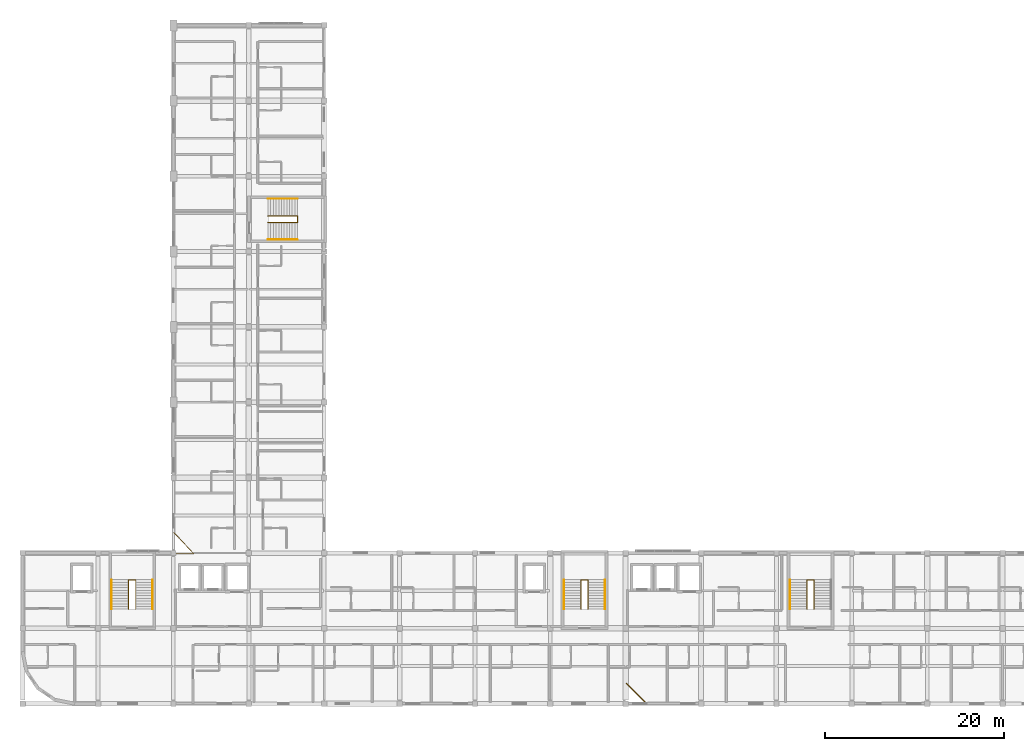
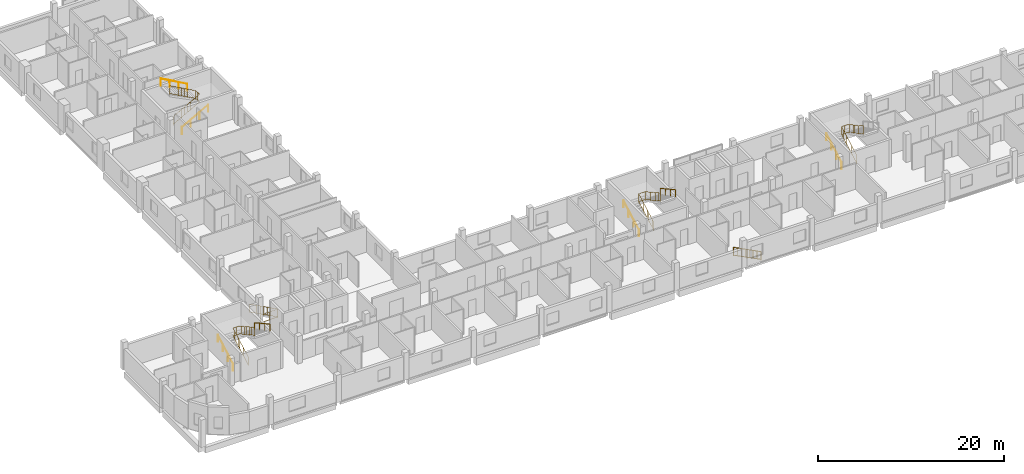
# One storey, part 24 of 25: 13 railings.
"""IFC4 building model written with IfcOpenShell, lengths in metres."""

from ifc_helpers import new_model, si_unit, derived_unit, direction, frame, origin, origin_2d, place, context, subcontext, project, spatial, circle, extrude, material, layer, layer_set, type_object, element, save


model = new_model("IFC4")

# Units and contexts
model_context = context("Model", 3, precision=1e-05, world=origin(), true_north=direction((0.0, 1.0)))
body_context = subcontext(model_context, "Body", "Model", "MODEL_VIEW")
ifc_project = project(units=[si_unit("LENGTHUNIT", "METRE"), si_unit("AREAUNIT", "SQUARE_METRE"), si_unit("VOLUMEUNIT", "CUBIC_METRE"), si_unit("PLANEANGLEUNIT", "RADIAN"), si_unit("MASSUNIT", "GRAM", prefix="KILO"), derived_unit("THERMALTRANSMITTANCEUNIT", [(si_unit("POWERUNIT", "WATT"), 1), (si_unit("LENGTHUNIT", "METRE"), -2), (si_unit("THERMODYNAMICTEMPERATUREUNIT", "KELVIN"), -1)])], contexts=[model_context])

# Site, building, storey
site_placement = place(None, origin())
site = spatial("IfcSite", under=ifc_project, at=site_placement, CompositionType="ELEMENT")
building_placement = place(site_placement, origin())
building = spatial("IfcBuilding", under=site, at=building_placement, Name="Barrovel Congress Hotel", CompositionType="ELEMENT")
storey_placement = place(building_placement, frame((0.0, 0.0, 25.5)))
storey = spatial("IfcBuildingStorey", under=building, at=storey_placement, Name="L06", CompositionType="ELEMENT", Elevation=25.5)

# Railings
ifc_material_1 = material(Name="Painted Architectural Steel", Category="steel")
ifc_layer_1 = layer(ifc_material_1, 0.070068359375)
ifc_layer_set_1 = layer_set([ifc_layer_1], Name="Painted Architectural Steel")
railing_type_1 = type_object("IfcRailingType", Name="RAIL-GUARD-INT", PredefinedType="BALUSTRADE", material=ifc_layer_set_1)
railing_1_placement = place(storey_placement, frame((28.60009765625, 14.739990234375, 0.0)))
element("IfcRailing", 1, at=railing_1_placement, inside=storey, type_object=railing_type_1, Name="STAIR:XS-01:L06:GR-W", PredefinedType="BALUSTRADE", context=body_context, shape_type="SweptSolid", body=[
    extrude(circle(Radius=0.02392578125, at=origin_2d()), frame((0.0, 0.0, 1.11572265625), z_axis=(0.0, 0.876041855244, 0.482235075311), x_axis=(-1.0, 0.0, 0.0)), (0.0, 0.0, 1.0), 3.732666015625),
    extrude(circle(Radius=0.02392578125, at=origin_2d()), frame((0.0, 0.0, 0.10009765625), z_axis=(0.0, 0.876041855244, 0.482235075311), x_axis=(-1.0, 0.0, 0.0)), (0.0, 0.0, 1.0), 3.732666015625),
    extrude(circle(Radius=0.010009765625, at=origin_2d()), frame((0.0, 0.36328125, 0.300048828125)), (0.0, 0.0, 1.0), 0.99169921875),
    extrude(circle(Radius=0.010009765625, at=origin_2d()), frame((0.0, 0.7265625, 0.5)), (0.0, 0.0, 1.0), 0.99169921875),
    extrude(circle(Radius=0.010009765625, at=origin_2d()), frame((0.0, 1.090087890625, 0.699951171875)), (0.0, 0.0, 1.0), 0.99169921875),
    extrude(circle(Radius=0.010009765625, at=origin_2d()), frame((0.0, 1.453369140625, 0.89990234375)), (0.0, 0.0, 1.0), 0.99169921875),
    extrude(circle(Radius=0.010009765625, at=origin_2d()), frame((0.0, 1.816650390625, 1.10009765625)), (0.0, 0.0, 1.0), 0.99169921875),
    extrude(circle(Radius=0.010009765625, at=origin_2d()), frame((0.0, 2.179931640625, 1.300048828125)), (0.0, 0.0, 1.0), 0.99169921875),
    extrude(circle(Radius=0.010009765625, at=origin_2d()), frame((0.0, 2.54345703125, 1.5)), (0.0, 0.0, 1.0), 0.99169921875),
    extrude(circle(Radius=0.010009765625, at=origin_2d()), frame((0.0, 2.90673828125, 1.699951171875)), (0.0, 0.0, 1.0), 0.99169921875),
    extrude(circle(Radius=0.02392578125, at=origin_2d()), frame((0.0, 3.27001953125, 2.916015625), z_axis=(1.0, 0.0, 0.0), x_axis=(0.0, 1.0, 0.0)), (0.0, 0.0, 1.0), 0.7998046875),
    extrude(circle(Radius=0.02392578125, at=origin_2d()), frame((0.0, 3.27001953125, 1.900146484375), z_axis=(1.0, 0.0, 0.0), x_axis=(0.0, 1.0, 0.0)), (0.0, 0.0, 1.0), 0.7998046875),
    extrude(circle(Radius=0.010009765625, at=origin_2d()), frame((0.39990234375, 3.27001953125, 1.900146484375)), (0.0, 0.0, 1.0), 0.99169921875),
    extrude(circle(Radius=0.02392578125, at=origin_2d()), frame((0.7998046875, 3.27001953125, 2.916015625), z_axis=(0.0, -0.876041855244, 0.482235075311), x_axis=(1.0, 0.0, 0.0)), (0.0, 0.0, 1.0), 3.732666015625),
    extrude(circle(Radius=0.02392578125, at=origin_2d()), frame((0.7998046875, 3.27001953125, 1.900146484375), z_axis=(0.0, -0.876041855244, 0.482235075311), x_axis=(1.0, 0.0, 0.0)), (0.0, 0.0, 1.0), 3.732666015625),
    extrude(circle(Radius=0.010009765625, at=origin_2d()), frame((0.7998046875, 2.90673828125, 2.10009765625)), (0.0, 0.0, 1.0), 0.99169921875),
    extrude(circle(Radius=0.010009765625, at=origin_2d()), frame((0.7998046875, 2.54345703125, 2.300048828125)), (0.0, 0.0, 1.0), 0.99169921875),
    extrude(circle(Radius=0.010009765625, at=origin_2d()), frame((0.7998046875, 2.179931640625, 2.5)), (0.0, 0.0, 1.0), 0.99169921875),
    extrude(circle(Radius=0.010009765625, at=origin_2d()), frame((0.7998046875, 1.816650390625, 2.699951171875)), (0.0, 0.0, 1.0), 0.99169921875),
    extrude(circle(Radius=0.010009765625, at=origin_2d()), frame((0.7998046875, 1.453369140625, 2.900146484375)), (0.0, 0.0, 1.0), 0.99169921875),
    extrude(circle(Radius=0.010009765625, at=origin_2d()), frame((0.7998046875, 1.090087890625, 3.10009765625)), (0.0, 0.0, 1.0), 0.99169921875),
    extrude(circle(Radius=0.010009765625, at=origin_2d()), frame((0.7998046875, 0.7265625, 3.300048828125)), (0.0, 0.0, 1.0), 0.99169921875),
    extrude(circle(Radius=0.010009765625, at=origin_2d()), frame((0.7998046875, 0.36328125, 3.5)), (0.0, 0.0, 1.0), 0.99169921875),
    extrude(circle(Radius=0.02099609375, at=origin_2d()), origin(), (0.0, 0.0, 1.0), 1.091796875),
    extrude(circle(Radius=0.02099609375, at=origin_2d()), frame((0.0, 1.090087890625, 0.60009765625)), (0.0, 0.0, 1.0), 1.091796875),
    extrude(circle(Radius=0.02099609375, at=origin_2d()), frame((0.0, 2.179931640625, 1.199951171875)), (0.0, 0.0, 1.0), 1.091796875),
    extrude(circle(Radius=0.02099609375, at=origin_2d()), frame((0.0, 3.27001953125, 1.800048828125)), (0.0, 0.0, 1.0), 1.091796875),
    extrude(circle(Radius=0.02099609375, at=origin_2d()), frame((0.7998046875, 3.27001953125, 1.800048828125)), (0.0, 0.0, 1.0), 1.091796875),
    extrude(circle(Radius=0.02099609375, at=origin_2d()), frame((0.7998046875, 2.179931640625, 2.400146484375)), (0.0, 0.0, 1.0), 1.091796875),
    extrude(circle(Radius=0.02099609375, at=origin_2d()), frame((0.7998046875, 1.090087890625, 3.0)), (0.0, 0.0, 1.0), 1.091796875),
    extrude(circle(Radius=0.02099609375, at=origin_2d()), frame((0.7998046875, 0.0, 3.60009765625)), (0.0, 0.0, 1.0), 1.091796875),
])
railing_2_placement = place(storey_placement, frame((79.0, 14.739990234375, 0.0)))
element("IfcRailing", 2, at=railing_2_placement, inside=storey, type_object=railing_type_1, Name="STAIR:XS-02:L06:GR-W", PredefinedType="BALUSTRADE", context=body_context, shape_type="SweptSolid", body=[
    extrude(circle(Radius=0.02392578125, at=origin_2d()), frame((0.0, 0.0, 1.11572265625), z_axis=(0.0, 0.876041855244, 0.482235075311), x_axis=(-1.0, 0.0, 0.0)), (0.0, 0.0, 1.0), 3.732666015625),
    extrude(circle(Radius=0.02392578125, at=origin_2d()), frame((0.0, 0.0, 0.10009765625), z_axis=(0.0, 0.876041855244, 0.482235075311), x_axis=(-1.0, 0.0, 0.0)), (0.0, 0.0, 1.0), 3.732666015625),
    extrude(circle(Radius=0.010009765625, at=origin_2d()), frame((0.0, 0.36328125, 0.300048828125)), (0.0, 0.0, 1.0), 0.99169921875),
    extrude(circle(Radius=0.010009765625, at=origin_2d()), frame((0.0, 0.7265625, 0.5)), (0.0, 0.0, 1.0), 0.99169921875),
    extrude(circle(Radius=0.010009765625, at=origin_2d()), frame((0.0, 1.090087890625, 0.699951171875)), (0.0, 0.0, 1.0), 0.99169921875),
    extrude(circle(Radius=0.010009765625, at=origin_2d()), frame((0.0, 1.453369140625, 0.89990234375)), (0.0, 0.0, 1.0), 0.99169921875),
    extrude(circle(Radius=0.010009765625, at=origin_2d()), frame((0.0, 1.816650390625, 1.10009765625)), (0.0, 0.0, 1.0), 0.99169921875),
    extrude(circle(Radius=0.010009765625, at=origin_2d()), frame((0.0, 2.179931640625, 1.300048828125)), (0.0, 0.0, 1.0), 0.99169921875),
    extrude(circle(Radius=0.010009765625, at=origin_2d()), frame((0.0, 2.54345703125, 1.5)), (0.0, 0.0, 1.0), 0.99169921875),
    extrude(circle(Radius=0.010009765625, at=origin_2d()), frame((0.0, 2.90673828125, 1.699951171875)), (0.0, 0.0, 1.0), 0.99169921875),
    extrude(circle(Radius=0.02392578125, at=origin_2d()), frame((0.0, 3.27001953125, 2.916015625), z_axis=(1.0, 0.0, 0.0), x_axis=(0.0, 1.0, 0.0)), (0.0, 0.0, 1.0), 0.800048828125),
    extrude(circle(Radius=0.02392578125, at=origin_2d()), frame((0.0, 3.27001953125, 1.900146484375), z_axis=(1.0, 0.0, 0.0), x_axis=(0.0, 1.0, 0.0)), (0.0, 0.0, 1.0), 0.800048828125),
    extrude(circle(Radius=0.010009765625, at=origin_2d()), frame((0.39990234375, 3.27001953125, 1.900146484375)), (0.0, 0.0, 1.0), 0.99169921875),
    extrude(circle(Radius=0.02392578125, at=origin_2d()), frame((0.800048828125, 3.27001953125, 2.916015625), z_axis=(0.0, -0.876041855244, 0.482235075311), x_axis=(1.0, 0.0, 0.0)), (0.0, 0.0, 1.0), 3.732666015625),
    extrude(circle(Radius=0.02392578125, at=origin_2d()), frame((0.800048828125, 3.27001953125, 1.900146484375), z_axis=(0.0, -0.876041855244, 0.482235075311), x_axis=(1.0, 0.0, 0.0)), (0.0, 0.0, 1.0), 3.732666015625),
    extrude(circle(Radius=0.010009765625, at=origin_2d()), frame((0.800048828125, 2.90673828125, 2.10009765625)), (0.0, 0.0, 1.0), 0.99169921875),
    extrude(circle(Radius=0.010009765625, at=origin_2d()), frame((0.800048828125, 2.54345703125, 2.300048828125)), (0.0, 0.0, 1.0), 0.99169921875),
    extrude(circle(Radius=0.010009765625, at=origin_2d()), frame((0.800048828125, 2.179931640625, 2.5)), (0.0, 0.0, 1.0), 0.99169921875),
    extrude(circle(Radius=0.010009765625, at=origin_2d()), frame((0.800048828125, 1.816650390625, 2.699951171875)), (0.0, 0.0, 1.0), 0.99169921875),
    extrude(circle(Radius=0.010009765625, at=origin_2d()), frame((0.800048828125, 1.453369140625, 2.900146484375)), (0.0, 0.0, 1.0), 0.99169921875),
    extrude(circle(Radius=0.010009765625, at=origin_2d()), frame((0.800048828125, 1.090087890625, 3.10009765625)), (0.0, 0.0, 1.0), 0.99169921875),
    extrude(circle(Radius=0.010009765625, at=origin_2d()), frame((0.800048828125, 0.7265625, 3.300048828125)), (0.0, 0.0, 1.0), 0.99169921875),
    extrude(circle(Radius=0.010009765625, at=origin_2d()), frame((0.800048828125, 0.36328125, 3.5)), (0.0, 0.0, 1.0), 0.99169921875),
    extrude(circle(Radius=0.02099609375, at=origin_2d()), origin(), (0.0, 0.0, 1.0), 1.091796875),
    extrude(circle(Radius=0.02099609375, at=origin_2d()), frame((0.0, 1.090087890625, 0.60009765625)), (0.0, 0.0, 1.0), 1.091796875),
    extrude(circle(Radius=0.02099609375, at=origin_2d()), frame((0.0, 2.179931640625, 1.199951171875)), (0.0, 0.0, 1.0), 1.091796875),
    extrude(circle(Radius=0.02099609375, at=origin_2d()), frame((0.0, 3.27001953125, 1.800048828125)), (0.0, 0.0, 1.0), 1.091796875),
    extrude(circle(Radius=0.02099609375, at=origin_2d()), frame((0.800048828125, 3.27001953125, 1.800048828125)), (0.0, 0.0, 1.0), 1.091796875),
    extrude(circle(Radius=0.02099609375, at=origin_2d()), frame((0.800048828125, 2.179931640625, 2.400146484375)), (0.0, 0.0, 1.0), 1.091796875),
    extrude(circle(Radius=0.02099609375, at=origin_2d()), frame((0.800048828125, 1.090087890625, 3.0)), (0.0, 0.0, 1.0), 1.091796875),
    extrude(circle(Radius=0.02099609375, at=origin_2d()), frame((0.800048828125, 0.0, 3.60009765625)), (0.0, 0.0, 1.0), 1.091796875),
])
railing_3_placement = place(storey_placement, frame((104.199951171875, 14.739990234375, 0.0)))
element("IfcRailing", 3, at=railing_3_placement, inside=storey, type_object=railing_type_1, Name="STAIR:XS-03:L06:GR-W", PredefinedType="BALUSTRADE", context=body_context, shape_type="SweptSolid", body=[
    extrude(circle(Radius=0.02392578125, at=origin_2d()), frame((0.0, 0.0, 1.11572265625), z_axis=(0.0, 0.876041855244, 0.482235075311), x_axis=(-1.0, 0.0, 0.0)), (0.0, 0.0, 1.0), 3.732666015625),
    extrude(circle(Radius=0.02392578125, at=origin_2d()), frame((0.0, 0.0, 0.10009765625), z_axis=(0.0, 0.876041855244, 0.482235075311), x_axis=(-1.0, 0.0, 0.0)), (0.0, 0.0, 1.0), 3.732666015625),
    extrude(circle(Radius=0.010009765625, at=origin_2d()), frame((0.0, 0.36328125, 0.300048828125)), (0.0, 0.0, 1.0), 0.99169921875),
    extrude(circle(Radius=0.010009765625, at=origin_2d()), frame((0.0, 0.7265625, 0.5)), (0.0, 0.0, 1.0), 0.99169921875),
    extrude(circle(Radius=0.010009765625, at=origin_2d()), frame((0.0, 1.090087890625, 0.699951171875)), (0.0, 0.0, 1.0), 0.99169921875),
    extrude(circle(Radius=0.010009765625, at=origin_2d()), frame((0.0, 1.453369140625, 0.89990234375)), (0.0, 0.0, 1.0), 0.99169921875),
    extrude(circle(Radius=0.010009765625, at=origin_2d()), frame((0.0, 1.816650390625, 1.10009765625)), (0.0, 0.0, 1.0), 0.99169921875),
    extrude(circle(Radius=0.010009765625, at=origin_2d()), frame((0.0, 2.179931640625, 1.300048828125)), (0.0, 0.0, 1.0), 0.99169921875),
    extrude(circle(Radius=0.010009765625, at=origin_2d()), frame((0.0, 2.54345703125, 1.5)), (0.0, 0.0, 1.0), 0.99169921875),
    extrude(circle(Radius=0.010009765625, at=origin_2d()), frame((0.0, 2.90673828125, 1.699951171875)), (0.0, 0.0, 1.0), 0.99169921875),
    extrude(circle(Radius=0.02392578125, at=origin_2d()), frame((0.0, 3.27001953125, 2.916015625), z_axis=(1.0, 0.0, 0.0), x_axis=(0.0, 1.0, 0.0)), (0.0, 0.0, 1.0), 0.800048828125),
    extrude(circle(Radius=0.02392578125, at=origin_2d()), frame((0.0, 3.27001953125, 1.900146484375), z_axis=(1.0, 0.0, 0.0), x_axis=(0.0, 1.0, 0.0)), (0.0, 0.0, 1.0), 0.800048828125),
    extrude(circle(Radius=0.010009765625, at=origin_2d()), frame((0.39990234375, 3.27001953125, 1.900146484375)), (0.0, 0.0, 1.0), 0.99169921875),
    extrude(circle(Radius=0.02392578125, at=origin_2d()), frame((0.800048828125, 3.27001953125, 2.916015625), z_axis=(0.0, -0.876041855244, 0.482235075311), x_axis=(1.0, 0.0, 0.0)), (0.0, 0.0, 1.0), 3.732666015625),
    extrude(circle(Radius=0.02392578125, at=origin_2d()), frame((0.800048828125, 3.27001953125, 1.900146484375), z_axis=(0.0, -0.876041855244, 0.482235075311), x_axis=(1.0, 0.0, 0.0)), (0.0, 0.0, 1.0), 3.732666015625),
    extrude(circle(Radius=0.010009765625, at=origin_2d()), frame((0.800048828125, 2.90673828125, 2.10009765625)), (0.0, 0.0, 1.0), 0.99169921875),
    extrude(circle(Radius=0.010009765625, at=origin_2d()), frame((0.800048828125, 2.54345703125, 2.300048828125)), (0.0, 0.0, 1.0), 0.99169921875),
    extrude(circle(Radius=0.010009765625, at=origin_2d()), frame((0.800048828125, 2.179931640625, 2.5)), (0.0, 0.0, 1.0), 0.99169921875),
    extrude(circle(Radius=0.010009765625, at=origin_2d()), frame((0.800048828125, 1.816650390625, 2.699951171875)), (0.0, 0.0, 1.0), 0.99169921875),
    extrude(circle(Radius=0.010009765625, at=origin_2d()), frame((0.800048828125, 1.453369140625, 2.900146484375)), (0.0, 0.0, 1.0), 0.99169921875),
    extrude(circle(Radius=0.010009765625, at=origin_2d()), frame((0.800048828125, 1.090087890625, 3.10009765625)), (0.0, 0.0, 1.0), 0.99169921875),
    extrude(circle(Radius=0.010009765625, at=origin_2d()), frame((0.800048828125, 0.7265625, 3.300048828125)), (0.0, 0.0, 1.0), 0.99169921875),
    extrude(circle(Radius=0.010009765625, at=origin_2d()), frame((0.800048828125, 0.36328125, 3.5)), (0.0, 0.0, 1.0), 0.99169921875),
    extrude(circle(Radius=0.02099609375, at=origin_2d()), origin(), (0.0, 0.0, 1.0), 1.091796875),
    extrude(circle(Radius=0.02099609375, at=origin_2d()), frame((0.0, 1.090087890625, 0.60009765625)), (0.0, 0.0, 1.0), 1.091796875),
    extrude(circle(Radius=0.02099609375, at=origin_2d()), frame((0.0, 2.179931640625, 1.199951171875)), (0.0, 0.0, 1.0), 1.091796875),
    extrude(circle(Radius=0.02099609375, at=origin_2d()), frame((0.0, 3.27001953125, 1.800048828125)), (0.0, 0.0, 1.0), 1.091796875),
    extrude(circle(Radius=0.02099609375, at=origin_2d()), frame((0.800048828125, 3.27001953125, 1.800048828125)), (0.0, 0.0, 1.0), 1.091796875),
    extrude(circle(Radius=0.02099609375, at=origin_2d()), frame((0.800048828125, 2.179931640625, 2.400146484375)), (0.0, 0.0, 1.0), 1.091796875),
    extrude(circle(Radius=0.02099609375, at=origin_2d()), frame((0.800048828125, 1.090087890625, 3.0)), (0.0, 0.0, 1.0), 1.091796875),
    extrude(circle(Radius=0.02099609375, at=origin_2d()), frame((0.800048828125, 0.0, 3.60009765625)), (0.0, 0.0, 1.0), 1.091796875),
])
railing_4_placement = place(storey_placement, frame((44.139892578125, 57.820068359375, 0.0)))
element("IfcRailing", 4, at=railing_4_placement, inside=storey, type_object=railing_type_1, Name="STAIR:XS-05:L06:GR-W", PredefinedType="BALUSTRADE", context=body_context, shape_type="SweptSolid", body=[
    extrude(circle(Radius=0.02392578125, at=origin_2d()), frame((0.0, 0.0, 1.11572265625), z_axis=(0.876041855244, 0.0, 0.482235075311), x_axis=(0.0, 1.0, 0.0)), (0.0, 0.0, 1.0), 3.732666015625),
    extrude(circle(Radius=0.02392578125, at=origin_2d()), frame((0.0, 0.0, 0.10009765625), z_axis=(0.876041855244, 0.0, 0.482235075311), x_axis=(0.0, 1.0, 0.0)), (0.0, 0.0, 1.0), 3.732666015625),
    extrude(circle(Radius=0.010009765625, at=origin_2d()), frame((0.36328125, 0.0, 0.300048828125)), (0.0, 0.0, 1.0), 0.99169921875),
    extrude(circle(Radius=0.010009765625, at=origin_2d()), frame((0.7265625, 0.0, 0.5)), (0.0, 0.0, 1.0), 0.99169921875),
    extrude(circle(Radius=0.010009765625, at=origin_2d()), frame((1.090087890625, 0.0, 0.699951171875)), (0.0, 0.0, 1.0), 0.99169921875),
    extrude(circle(Radius=0.010009765625, at=origin_2d()), frame((1.453369140625, 0.0, 0.89990234375)), (0.0, 0.0, 1.0), 0.99169921875),
    extrude(circle(Radius=0.010009765625, at=origin_2d()), frame((1.816650390625, 0.0, 1.10009765625)), (0.0, 0.0, 1.0), 0.99169921875),
    extrude(circle(Radius=0.010009765625, at=origin_2d()), frame((2.179931640625, 0.0, 1.300048828125)), (0.0, 0.0, 1.0), 0.99169921875),
    extrude(circle(Radius=0.010009765625, at=origin_2d()), frame((2.54345703125, 0.0, 1.5)), (0.0, 0.0, 1.0), 0.99169921875),
    extrude(circle(Radius=0.010009765625, at=origin_2d()), frame((2.90673828125, 0.0, 1.699951171875)), (0.0, 0.0, 1.0), 0.99169921875),
    extrude(circle(Radius=0.02392578125, at=origin_2d()), frame((3.27001953125, 0.0, 2.916015625), z_axis=(0.0, 1.0, 0.0), x_axis=(-1.0, 0.0, 0.0)), (0.0, 0.0, 1.0), 0.760009765625),
    extrude(circle(Radius=0.02392578125, at=origin_2d()), frame((3.27001953125, 0.0, 1.900146484375), z_axis=(0.0, 1.0, 0.0), x_axis=(-1.0, 0.0, 0.0)), (0.0, 0.0, 1.0), 0.760009765625),
    extrude(circle(Radius=0.010009765625, at=origin_2d()), frame((3.27001953125, 0.3798828125, 1.900146484375)), (0.0, 0.0, 1.0), 0.99169921875),
    extrude(circle(Radius=0.02392578125, at=origin_2d()), frame((3.27001953125, 0.760009765625, 2.916015625), z_axis=(-0.876041855244, 0.0, 0.482235075311), x_axis=(0.0, -1.0, 0.0)), (0.0, 0.0, 1.0), 3.732666015625),
    extrude(circle(Radius=0.02392578125, at=origin_2d()), frame((3.27001953125, 0.760009765625, 1.900146484375), z_axis=(-0.876041855244, 0.0, 0.482235075311), x_axis=(0.0, -1.0, 0.0)), (0.0, 0.0, 1.0), 3.732666015625),
    extrude(circle(Radius=0.010009765625, at=origin_2d()), frame((2.90673828125, 0.760009765625, 2.10009765625)), (0.0, 0.0, 1.0), 0.99169921875),
    extrude(circle(Radius=0.010009765625, at=origin_2d()), frame((2.54345703125, 0.760009765625, 2.300048828125)), (0.0, 0.0, 1.0), 0.99169921875),
    extrude(circle(Radius=0.010009765625, at=origin_2d()), frame((2.179931640625, 0.760009765625, 2.5)), (0.0, 0.0, 1.0), 0.99169921875),
    extrude(circle(Radius=0.010009765625, at=origin_2d()), frame((1.816650390625, 0.760009765625, 2.699951171875)), (0.0, 0.0, 1.0), 0.99169921875),
    extrude(circle(Radius=0.010009765625, at=origin_2d()), frame((1.453369140625, 0.760009765625, 2.900146484375)), (0.0, 0.0, 1.0), 0.99169921875),
    extrude(circle(Radius=0.010009765625, at=origin_2d()), frame((1.090087890625, 0.760009765625, 3.10009765625)), (0.0, 0.0, 1.0), 0.99169921875),
    extrude(circle(Radius=0.010009765625, at=origin_2d()), frame((0.7265625, 0.760009765625, 3.300048828125)), (0.0, 0.0, 1.0), 0.99169921875),
    extrude(circle(Radius=0.010009765625, at=origin_2d()), frame((0.36328125, 0.760009765625, 3.5)), (0.0, 0.0, 1.0), 0.99169921875),
    extrude(circle(Radius=0.02099609375, at=origin_2d()), origin(), (0.0, 0.0, 1.0), 1.091796875),
    extrude(circle(Radius=0.02099609375, at=origin_2d()), frame((1.090087890625, 0.0, 0.60009765625)), (0.0, 0.0, 1.0), 1.091796875),
    extrude(circle(Radius=0.02099609375, at=origin_2d()), frame((2.179931640625, 0.0, 1.199951171875)), (0.0, 0.0, 1.0), 1.091796875),
    extrude(circle(Radius=0.02099609375, at=origin_2d()), frame((3.27001953125, 0.0, 1.800048828125)), (0.0, 0.0, 1.0), 1.091796875),
    extrude(circle(Radius=0.02099609375, at=origin_2d()), frame((3.27001953125, 0.760009765625, 1.800048828125)), (0.0, 0.0, 1.0), 1.091796875),
    extrude(circle(Radius=0.02099609375, at=origin_2d()), frame((2.179931640625, 0.760009765625, 2.400146484375)), (0.0, 0.0, 1.0), 1.091796875),
    extrude(circle(Radius=0.02099609375, at=origin_2d()), frame((1.090087890625, 0.760009765625, 3.0)), (0.0, 0.0, 1.0), 1.091796875),
    extrude(circle(Radius=0.02099609375, at=origin_2d()), frame((0.0, 0.760009765625, 3.60009765625)), (0.0, 0.0, 1.0), 1.091796875),
])
railing_5_placement = place(storey_placement, frame((33.679931640625, 20.919921875, 0.0)))
element("IfcRailing", 5, at=railing_5_placement, inside=storey, type_object=railing_type_1, Name="RAIL:L06:CG-HW1", PredefinedType="BALUSTRADE", context=body_context, shape_type="SweptSolid", body=[
    extrude(circle(Radius=0.02392578125, at=origin_2d()), frame((0.0, 0.0, 1.11572265625), z_axis=(1.0, 0.0, 0.0), x_axis=(0.0, 1.0, 0.0)), (0.0, 0.0, 1.0), 2.170166015625),
    extrude(circle(Radius=0.02392578125, at=origin_2d()), frame((0.0, 0.0, 0.10009765625), z_axis=(1.0, 0.0, 0.0), x_axis=(0.0, 1.0, 0.0)), (0.0, 0.0, 1.0), 2.170166015625),
    extrude(circle(Radius=0.010009765625, at=origin_2d()), frame((0.43408203125, 0.0, 0.10009765625)), (0.0, 0.0, 1.0), 0.99169921875),
    extrude(circle(Radius=0.010009765625, at=origin_2d()), frame((0.8681640625, 0.0, 0.10009765625)), (0.0, 0.0, 1.0), 0.99169921875),
    extrude(circle(Radius=0.010009765625, at=origin_2d()), frame((1.302001953125, 0.0, 0.10009765625)), (0.0, 0.0, 1.0), 0.99169921875),
    extrude(circle(Radius=0.010009765625, at=origin_2d()), frame((1.736083984375, 0.0, 0.10009765625)), (0.0, 0.0, 1.0), 0.99169921875),
    extrude(circle(Radius=0.02392578125, at=origin_2d()), frame((2.170166015625, 0.0, 1.11572265625), z_axis=(-0.681550229161, 0.731771333909, 0.0), x_axis=(-0.731771333909, -0.681550229161, 0.0)), (0.0, 0.0, 1.0), 3.18408203125),
    extrude(circle(Radius=0.02392578125, at=origin_2d()), frame((2.170166015625, 0.0, 0.10009765625), z_axis=(-0.681550229161, 0.731771333909, 0.0), x_axis=(-0.731771333909, -0.681550229161, 0.0)), (0.0, 0.0, 1.0), 3.18408203125),
    extrude(circle(Radius=0.010009765625, at=origin_2d()), frame((1.89892578125, 0.291259765625, 0.10009765625)), (0.0, 0.0, 1.0), 0.99169921875),
    extrude(circle(Radius=0.010009765625, at=origin_2d()), frame((1.627685546875, 0.58251953125, 0.10009765625)), (0.0, 0.0, 1.0), 0.99169921875),
    extrude(circle(Radius=0.010009765625, at=origin_2d()), frame((1.3564453125, 0.873779296875, 0.10009765625)), (0.0, 0.0, 1.0), 0.99169921875),
    extrude(circle(Radius=0.010009765625, at=origin_2d()), frame((1.0849609375, 1.1650390625, 0.10009765625)), (0.0, 0.0, 1.0), 0.99169921875),
    extrude(circle(Radius=0.010009765625, at=origin_2d()), frame((0.813720703125, 1.456298828125, 0.10009765625)), (0.0, 0.0, 1.0), 0.99169921875),
    extrude(circle(Radius=0.010009765625, at=origin_2d()), frame((0.54248046875, 1.74755859375, 0.10009765625)), (0.0, 0.0, 1.0), 0.99169921875),
    extrude(circle(Radius=0.010009765625, at=origin_2d()), frame((0.271240234375, 2.038818359375, 0.10009765625)), (0.0, 0.0, 1.0), 0.99169921875),
    extrude(circle(Radius=0.02099609375, at=origin_2d()), origin(), (0.0, 0.0, 1.0), 1.091796875),
    extrude(circle(Radius=0.02099609375, at=origin_2d()), frame((1.0849609375, 0.0, 0.0)), (0.0, 0.0, 1.0), 1.091796875),
    extrude(circle(Radius=0.02099609375, at=origin_2d()), frame((2.170166015625, 0.0, 0.0)), (0.0, 0.0, 1.0), 1.091796875),
    extrude(circle(Radius=0.02099609375, at=origin_2d()), frame((1.0849609375, 1.1650390625, 0.0)), (0.0, 0.0, 1.0), 1.091796875),
    extrude(circle(Radius=0.02099609375, at=origin_2d()), frame((0.0, 2.330078125, 0.0)), (0.0, 0.0, 1.0), 1.091796875),
])
railing_6_placement = place(storey_placement, frame((86.25, 4.280029296875, 0.0)))
element("IfcRailing", 6, at=railing_6_placement, inside=storey, type_object=railing_type_1, Name="RAIL:L06:CG-HS2", PredefinedType="BALUSTRADE", context=body_context, shape_type="SweptSolid", body=[
    extrude(circle(Radius=0.02392578125, at=origin_2d()), frame((0.0, 0.0, 1.11572265625), z_axis=(-0.707106781187, 0.707106781187, 0.0), x_axis=(-0.707106781187, -0.707106781187, 0.0)), (0.0, 0.0, 1.0), 3.06884765625),
    extrude(circle(Radius=0.02392578125, at=origin_2d()), frame((0.0, 0.0, 0.10009765625), z_axis=(-0.707106781187, 0.707106781187, 0.0), x_axis=(-0.707106781187, -0.707106781187, 0.0)), (0.0, 0.0, 1.0), 3.06884765625),
    extrude(circle(Radius=0.010009765625, at=origin_2d()), frame((-0.31005859375, 0.31005859375, 0.10009765625)), (0.0, 0.0, 1.0), 0.99169921875),
    extrude(circle(Radius=0.010009765625, at=origin_2d()), frame((-0.619873046875, 0.619873046875, 0.10009765625)), (0.0, 0.0, 1.0), 0.99169921875),
    extrude(circle(Radius=0.010009765625, at=origin_2d()), frame((-0.929931640625, 0.929931640625, 0.10009765625)), (0.0, 0.0, 1.0), 0.99169921875),
    extrude(circle(Radius=0.010009765625, at=origin_2d()), frame((-1.239990234375, 1.239990234375, 0.10009765625)), (0.0, 0.0, 1.0), 0.99169921875),
    extrude(circle(Radius=0.010009765625, at=origin_2d()), frame((-1.550048828125, 1.550048828125, 0.10009765625)), (0.0, 0.0, 1.0), 0.99169921875),
    extrude(circle(Radius=0.010009765625, at=origin_2d()), frame((-1.85986328125, 1.85986328125, 0.10009765625)), (0.0, 0.0, 1.0), 0.99169921875),
    extrude(circle(Radius=0.02099609375, at=origin_2d()), origin(), (0.0, 0.0, 1.0), 1.091796875),
    extrude(circle(Radius=0.02099609375, at=origin_2d()), frame((-1.0849609375, 1.0849609375, 0.0)), (0.0, 0.0, 1.0), 1.091796875),
    extrude(circle(Radius=0.02099609375, at=origin_2d()), frame((-2.169921875, 2.169921875, 0.0)), (0.0, 0.0, 1.0), 1.091796875),
])
ifc_material_2 = material(Name="Brushed Stainless Steel", Category="steel")
ifc_layer_2 = layer(ifc_material_2, 0.050048828125)
ifc_layer_set_2 = layer_set([ifc_layer_2], Name="Brushed Stainless Steel")
railing_type_2 = type_object("IfcRailingType", Name="RAIL-HAND", PredefinedType="HANDRAIL", material=ifc_layer_set_2)
railing_7_placement = place(storey_placement, frame((26.719970703125, 14.739990234375, 0.0)))
element("IfcRailing", 7, at=railing_7_placement, inside=storey, type_object=railing_type_2, Name="STAIR:XS-01:L06:HR-1", PredefinedType="HANDRAIL", context=body_context, shape_type="SweptSolid", body=[
    extrude(circle(Radius=0.02392578125, at=origin_2d()), frame((0.0, 0.0, 0.89599609375), z_axis=(0.0, 0.876041855244, 0.482235075311), x_axis=(-1.0, 0.0, 0.0)), (0.0, 0.0, 1.0), 3.732666015625),
    extrude(circle(Radius=0.02099609375, at=origin_2d()), origin(), (0.0, 0.0, 1.0), 0.871826171875),
    extrude(circle(Radius=0.02099609375, at=origin_2d()), frame((0.0, 1.090087890625, 0.60009765625)), (0.0, 0.0, 1.0), 0.871826171875),
    extrude(circle(Radius=0.02099609375, at=origin_2d()), frame((0.0, 2.179931640625, 1.199951171875)), (0.0, 0.0, 1.0), 0.871826171875),
    extrude(circle(Radius=0.02099609375, at=origin_2d()), frame((0.0, 3.27001953125, 1.800048828125)), (0.0, 0.0, 1.0), 0.871826171875),
])
railing_8_placement = place(storey_placement, frame((31.280029296875, 18.010009765625, 1.800048828125)))
element("IfcRailing", 8, at=railing_8_placement, inside=storey, type_object=railing_type_2, Name="STAIR:XS-01:L06:HR-2", PredefinedType="HANDRAIL", context=body_context, shape_type="SweptSolid", body=[
    extrude(circle(Radius=0.02392578125, at=origin_2d()), frame((0.0, 0.0, 0.89599609375), z_axis=(0.0, -0.876041855244, 0.482235075311), x_axis=(1.0, 0.0, 0.0)), (0.0, 0.0, 1.0), 3.732666015625),
    extrude(circle(Radius=0.02099609375, at=origin_2d()), origin(), (0.0, 0.0, 1.0), 0.871826171875),
    extrude(circle(Radius=0.02099609375, at=origin_2d()), frame((0.0, -1.090087890625, 0.60009765625)), (0.0, 0.0, 1.0), 0.871826171875),
    extrude(circle(Radius=0.02099609375, at=origin_2d()), frame((0.0, -2.179931640625, 1.199951171875)), (0.0, 0.0, 1.0), 0.871826171875),
    extrude(circle(Radius=0.02099609375, at=origin_2d()), frame((0.0, -3.27001953125, 1.800048828125)), (0.0, 0.0, 1.0), 0.871826171875),
])
railing_9_placement = place(storey_placement, frame((77.1201171875, 14.739990234375, 0.0)))
element("IfcRailing", 9, at=railing_9_placement, inside=storey, type_object=railing_type_2, Name="STAIR:XS-02:L06:HR-1", PredefinedType="HANDRAIL", context=body_context, shape_type="SweptSolid", body=[
    extrude(circle(Radius=0.02392578125, at=origin_2d()), frame((0.0, 0.0, 0.89599609375), z_axis=(0.0, 0.876041855244, 0.482235075311), x_axis=(-1.0, 0.0, 0.0)), (0.0, 0.0, 1.0), 3.732666015625),
    extrude(circle(Radius=0.02099609375, at=origin_2d()), origin(), (0.0, 0.0, 1.0), 0.871826171875),
    extrude(circle(Radius=0.02099609375, at=origin_2d()), frame((0.0, 1.090087890625, 0.60009765625)), (0.0, 0.0, 1.0), 0.871826171875),
    extrude(circle(Radius=0.02099609375, at=origin_2d()), frame((0.0, 2.179931640625, 1.199951171875)), (0.0, 0.0, 1.0), 0.871826171875),
    extrude(circle(Radius=0.02099609375, at=origin_2d()), frame((0.0, 3.27001953125, 1.800048828125)), (0.0, 0.0, 1.0), 0.871826171875),
])
railing_10_placement = place(storey_placement, frame((81.679931640625, 18.010009765625, 1.800048828125)))
element("IfcRailing", 10, at=railing_10_placement, inside=storey, type_object=railing_type_2, Name="STAIR:XS-02:L06:HR-2", PredefinedType="HANDRAIL", context=body_context, shape_type="SweptSolid", body=[
    extrude(circle(Radius=0.02392578125, at=origin_2d()), frame((0.0, 0.0, 0.89599609375), z_axis=(0.0, -0.876041855244, 0.482235075311), x_axis=(1.0, 0.0, 0.0)), (0.0, 0.0, 1.0), 3.732666015625),
    extrude(circle(Radius=0.02099609375, at=origin_2d()), origin(), (0.0, 0.0, 1.0), 0.871826171875),
    extrude(circle(Radius=0.02099609375, at=origin_2d()), frame((0.0, -1.090087890625, 0.60009765625)), (0.0, 0.0, 1.0), 0.871826171875),
    extrude(circle(Radius=0.02099609375, at=origin_2d()), frame((0.0, -2.179931640625, 1.199951171875)), (0.0, 0.0, 1.0), 0.871826171875),
    extrude(circle(Radius=0.02099609375, at=origin_2d()), frame((0.0, -3.27001953125, 1.800048828125)), (0.0, 0.0, 1.0), 0.871826171875),
])
railing_11_placement = place(storey_placement, frame((102.320068359375, 14.739990234375, 0.0)))
element("IfcRailing", 11, at=railing_11_placement, inside=storey, type_object=railing_type_2, Name="STAIR:XS-03:L06:HR-1", PredefinedType="HANDRAIL", context=body_context, shape_type="SweptSolid", body=[
    extrude(circle(Radius=0.02392578125, at=origin_2d()), frame((0.0, 0.0, 0.89599609375), z_axis=(0.0, 0.876041855244, 0.482235075311), x_axis=(-1.0, 0.0, 0.0)), (0.0, 0.0, 1.0), 3.732666015625),
    extrude(circle(Radius=0.02099609375, at=origin_2d()), origin(), (0.0, 0.0, 1.0), 0.871826171875),
    extrude(circle(Radius=0.02099609375, at=origin_2d()), frame((0.0, 1.090087890625, 0.60009765625)), (0.0, 0.0, 1.0), 0.871826171875),
    extrude(circle(Radius=0.02099609375, at=origin_2d()), frame((0.0, 2.179931640625, 1.199951171875)), (0.0, 0.0, 1.0), 0.871826171875),
    extrude(circle(Radius=0.02099609375, at=origin_2d()), frame((0.0, 3.27001953125, 1.800048828125)), (0.0, 0.0, 1.0), 0.871826171875),
])
railing_12_placement = place(storey_placement, frame((44.139892578125, 55.919921875, 0.0)))
element("IfcRailing", 12, at=railing_12_placement, inside=storey, type_object=railing_type_2, Name="STAIR:XS-05:L06:HR-1", PredefinedType="HANDRAIL", context=body_context, shape_type="SweptSolid", body=[
    extrude(circle(Radius=0.02392578125, at=origin_2d()), frame((0.0, 0.0, 0.89599609375), z_axis=(0.876041855244, 0.0, 0.482235075311), x_axis=(0.0, 1.0, 0.0)), (0.0, 0.0, 1.0), 3.732666015625),
    extrude(circle(Radius=0.02099609375, at=origin_2d()), origin(), (0.0, 0.0, 1.0), 0.871826171875),
    extrude(circle(Radius=0.02099609375, at=origin_2d()), frame((1.090087890625, 0.0, 0.60009765625)), (0.0, 0.0, 1.0), 0.871826171875),
    extrude(circle(Radius=0.02099609375, at=origin_2d()), frame((2.179931640625, 0.0, 1.199951171875)), (0.0, 0.0, 1.0), 0.871826171875),
    extrude(circle(Radius=0.02099609375, at=origin_2d()), frame((3.27001953125, 0.0, 1.800048828125)), (0.0, 0.0, 1.0), 0.871826171875),
])
railing_13_placement = place(storey_placement, frame((47.409912109375, 60.47998046875, 1.800048828125)))
element("IfcRailing", 13, at=railing_13_placement, inside=storey, type_object=railing_type_2, Name="STAIR:XS-05:L06:HR-2", PredefinedType="HANDRAIL", context=body_context, shape_type="SweptSolid", body=[
    extrude(circle(Radius=0.02392578125, at=origin_2d()), frame((0.0, 0.0, 0.89599609375), z_axis=(-0.876041855244, 0.0, 0.482235075311), x_axis=(0.0, -1.0, 0.0)), (0.0, 0.0, 1.0), 3.732666015625),
    extrude(circle(Radius=0.02099609375, at=origin_2d()), origin(), (0.0, 0.0, 1.0), 0.871826171875),
    extrude(circle(Radius=0.02099609375, at=origin_2d()), frame((-1.090087890625, 0.0, 0.60009765625)), (0.0, 0.0, 1.0), 0.871826171875),
    extrude(circle(Radius=0.02099609375, at=origin_2d()), frame((-2.179931640625, 0.0, 1.199951171875)), (0.0, 0.0, 1.0), 0.871826171875),
    extrude(circle(Radius=0.02099609375, at=origin_2d()), frame((-3.27001953125, 0.0, 1.800048828125)), (0.0, 0.0, 1.0), 0.871826171875),
])

save(model, "model.ifc")
